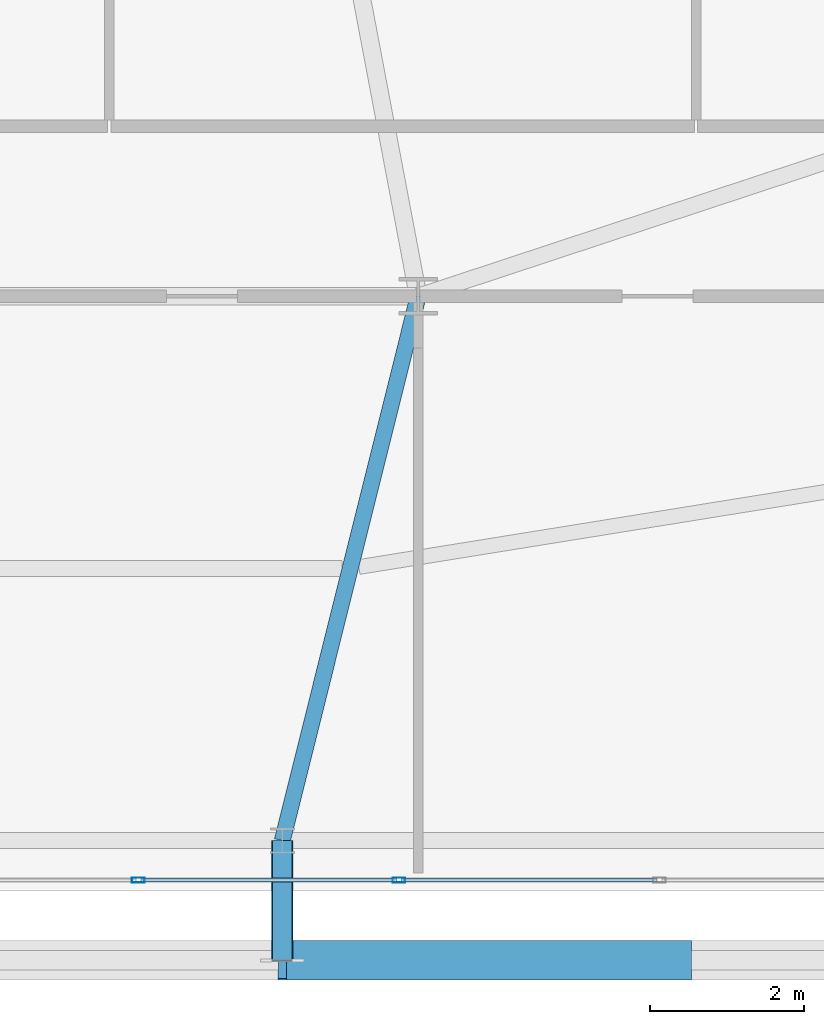
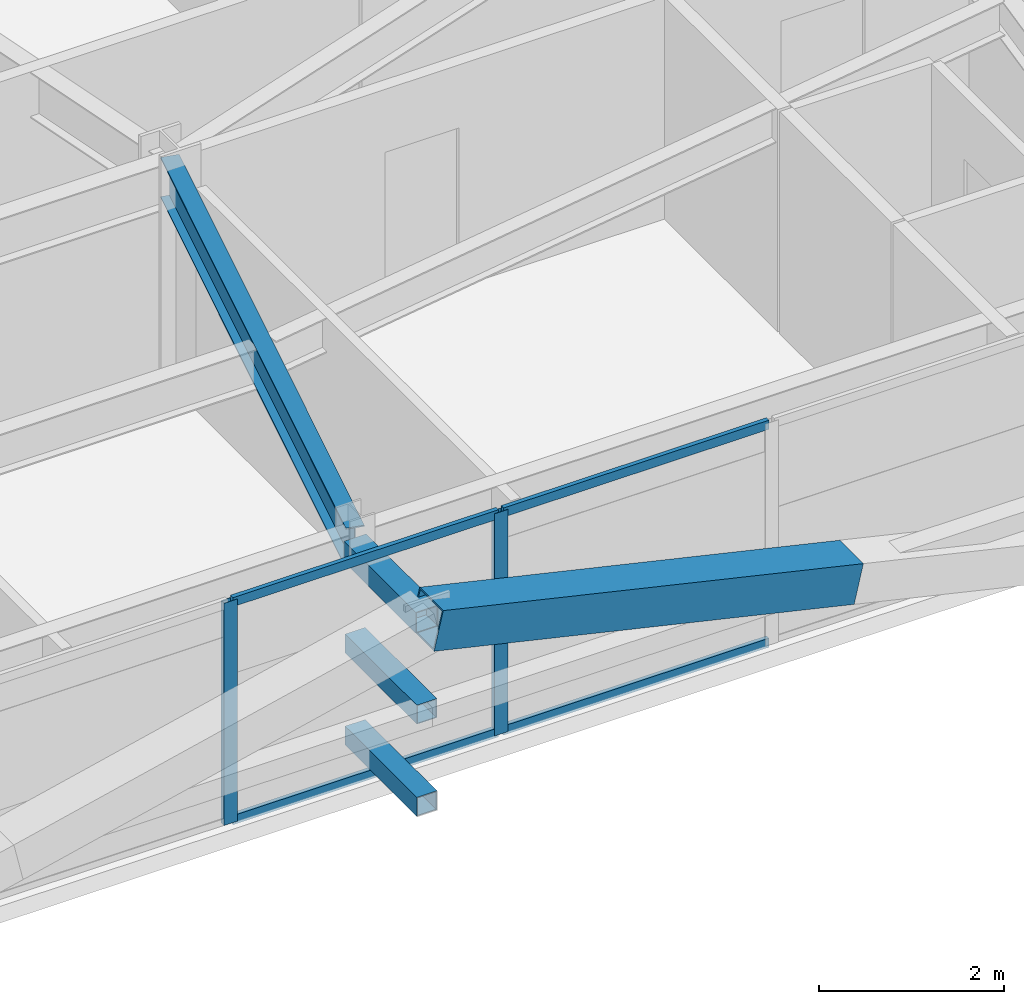
# One storey, part 20 of 58: 10 members, 1 beam, 1 element without a shape of its own.
"""IFC4 building model written with IfcOpenShell, lengths in metres."""

from ifc_helpers import new_model, si_unit, direction, frame, origin, origin_2d, place, context, subcontext, project, spatial, hollow_rectangle, i_section, extrude, source, transform, mapped, material, layer, layer_set, material_profile, profile_set, type_object, element, aggregate, save


model = new_model("IFC4")

# Units and contexts
model_context = context("Model", 3, precision=1e-05, world=origin(), true_north=direction((0.0, 1.0)))
body_context = subcontext(model_context, "Body", "Model", "MODEL_VIEW")
ifc_project = project(units=[si_unit("LENGTHUNIT", "METRE"), si_unit("AREAUNIT", "SQUARE_METRE"), si_unit("VOLUMEUNIT", "CUBIC_METRE"), si_unit("PLANEANGLEUNIT", "RADIAN"), si_unit("MASSUNIT", "GRAM", prefix="KILO")], contexts=[model_context])

# Site, building, storey
site_placement = place(None, origin())
site = spatial("IfcSite", under=ifc_project, at=site_placement, CompositionType="ELEMENT")
building_placement = place(site_placement, origin())
building = spatial("IfcBuilding", under=site, at=building_placement, Name="Taldren Reach Tower", CompositionType="ELEMENT")
storey_placement = place(building_placement, frame((0.0, 0.0, 54.60009765625)))
storey = spatial("IfcBuildingStorey", under=building, at=storey_placement, Name="L16", CompositionType="ELEMENT", Elevation=54.60009765625)

# Beam
ifc_material_1 = material(Name="Steel Gr 350 (350PLUS)", Category="steel")
ifc_material_profile_1 = material_profile(ifc_material_1, i_section(OverallWidth=0.208984375, OverallDepth=0.532958984375, WebThickness=0.01025390625, FlangeThickness=0.015625, at=origin_2d()), Name="530UB92.4")
ifc_profile_set_1 = profile_set([ifc_material_profile_1], Name="Steel Gr 350 (350PLUS)")
beam_type = type_object("IfcBeamType", Name="BM-UB530A", PredefinedType="BEAM", material=ifc_profile_set_1)
shared_shape_1 = source(origin(), body_context, "Body", "SweptSolid", [
    extrude(i_section(OverallWidth=0.208984375, OverallDepth=0.532958984375, WebThickness=0.01025390625, FlangeThickness=0.015625, at=origin_2d()), origin(), (0.0, 0.0, 1.0), 7.266357421875),
])
beam_placement = place(storey_placement, frame((42.0, 9.199951171875, 2.663330078125), z_axis=(-0.24221148493, -0.970223477642, 0.0), x_axis=(0.970223477642, -0.24221148493, 0.0)))
element("IfcBeam", 1, at=beam_placement, inside=storey, type_object=beam_type, Name="Primary floor girder B1-S4 L16", PredefinedType="BEAM", context=body_context, shape_type="MappedRepresentation", body=[
    mapped(shared_shape_1, transform((0.0, 0.0, 0.0), scale=1.0)),
])

# Members
ifc_material_2 = material(Name="Steel Gr 450 (C450L0)", Category="steel")
ifc_material_profile_2 = material_profile(ifc_material_2, hollow_rectangle(XDim=0.27490234375, YDim=0.27490234375, WallThickness=0.00927734375, at=origin_2d()), Name="275x275x9.3SHS")
ifc_profile_set_2 = profile_set([ifc_material_profile_2], Name="Steel Gr 450 (C450L0)")
member_type_1 = type_object("IfcMemberType", Name="MB-TIE273", PredefinedType="STRUT", material=ifc_profile_set_2)
shared_shape_2 = source(origin(), body_context, "Body", "SweptSolid", [
    extrude(hollow_rectangle(XDim=0.27490234375, YDim=0.27490234375, WallThickness=0.00927734375, at=origin_2d()), origin(), (0.0, 0.0, 1.0), 1.5498046875),
])
member_1_placement = place(storey_placement, frame((40.239990234375, 2.14990234375, 2.64990234375), z_axis=(0.0, -1.0, 0.0), x_axis=(1.0, 0.0, 0.0)))
element("IfcMember", 2, at=member_1_placement, inside=storey, type_object=member_type_1, Name="Exoskeleton diaphragm tie strut B1-S4 L16", PredefinedType="STRUT", context=body_context, shape_type="MappedRepresentation", body=[
    mapped(shared_shape_2, transform((0.0, 0.0, 0.0), scale=1.0)),
])
ifc_material_profile_3 = material_profile(ifc_material_2, hollow_rectangle(XDim=0.510009765625, YDim=0.510009765625, WallThickness=0.02001953125, at=origin_2d()), Name="510x510x20.0SHS")
ifc_profile_set_3 = profile_set([ifc_material_profile_3], Name="Steel Gr 450 (C450L0)")
member_type_2 = type_object("IfcMemberType", Name="MB-EXO508", PredefinedType="BRACE", material=ifc_profile_set_3)
shared_shape_3 = source(origin(), body_context, "Body", "SweptSolid", [
    extrude(hollow_rectangle(XDim=0.510009765625, YDim=0.510009765625, WallThickness=0.02001953125, at=origin_2d()), origin(), (0.0, 0.0, 1.0), 5.37890625),
])
member_2_placement = place(storey_placement, frame((45.47998046875, 0.60009765625, 1.434814453125), z_axis=(-0.97415197996, 0.0, 0.225893603143), x_axis=(0.0, -1.0, 0.0)))
element("IfcMember", 3, at=member_2_placement, inside=storey, type_object=member_type_2, Name="Exoskeleton Diagrid Brace B1-S4 L16", PredefinedType="BRACE", context=body_context, shape_type="MappedRepresentation", body=[
    mapped(shared_shape_3, transform((0.0, 0.0, 0.0), scale=1.0)),
])
ifc_material_3 = material(Name="Steel Gr 350 (C350L0)", Category="steel")
ifc_material_profile_4 = material_profile(ifc_material_3, hollow_rectangle(XDim=0.25, YDim=0.25, WallThickness=0.010009765625, at=origin_2d()), Name="250x250x10.0SHS")
ifc_profile_set_4 = profile_set([ifc_material_profile_4], Name="Steel Gr 350 (C350L0)")
member_type_3 = type_object("IfcMemberType", Name="MB-POST250", PredefinedType="POST", material=ifc_profile_set_4)
shared_shape_4 = source(origin(), body_context, "Body", "SweptSolid", [
    extrude(hollow_rectangle(XDim=0.25, YDim=0.25, WallThickness=0.010009765625, at=origin_2d()), origin(), (0.0, 0.0, 1.0), 1.5498046875),
])
for number, where, z_axis, x_axis, name in (
    (4, (40.239990234375, 2.14990234375, 0.219970703125), (0.0, -1.0, 0.0), (1.0, 0.0, 0.0), "Exoskeleton base diaphragm tie strut B1-S4 L16"),
    (5, (40.239990234375, 2.14990234375, 1.434814453125), (0.0, -1.0, 0.0), (1.0, 0.0, 0.0), "Exoskeleton mid-tier diaphragm tie B1-S4 L16"),
):
    element("IfcMember", number, at=place(storey_placement, frame(where, z_axis=z_axis, x_axis=x_axis)), inside=storey, type_object=member_type_3, Name=name, PredefinedType="POST", context=body_context, shape_type="MappedRepresentation", body=[
        mapped(shared_shape_4, transform((0.0, 0.0, 0.0), scale=1.0)),
    ])

# Curtain wall, members
ifc_material_4 = material(Name="Aluminium and Low-E Glass Unitised System", Category="aluminium")
ifc_layer = layer(ifc_material_4, 0.159912109375)
ifc_layer_set = layer_set([ifc_layer], Name="Aluminium and Low-E Glass Unitised System")
curtain_wall_type = type_object("IfcCurtainWallType", Name="CW-SYS-2", PredefinedType="NOTDEFINED", material=ifc_layer_set)
curtain_wall_placement = place(storey_placement, origin())
curtain_wall = element("IfcCurtainWall", 6, at=curtain_wall_placement, inside=storey, type_object=curtain_wall_type, Name="Unitised curtain wall CW-L16-S", PredefinedType="NOTDEFINED")
ifc_material_5 = material(Name="Anodised Aluminium 6063-T6", Category="aluminium")
ifc_material_profile_5 = material_profile(ifc_material_5, hollow_rectangle(XDim=0.06494140625, YDim=0.1650390625, WallThickness=0.00390625, at=origin_2d()), Name="ALU-165x65x4RHS")
ifc_profile_set_5 = profile_set([ifc_material_profile_5], Name="Anodised Aluminium 6063-T6")
member_type_4 = type_object("IfcMemberType", Name="CW-MUL-165", PredefinedType="MULLION", material=ifc_profile_set_5)
shared_shape_5 = source(origin(), body_context, "Body", "SweptSolid", [
    extrude(hollow_rectangle(XDim=0.06494140625, YDim=0.1650390625, WallThickness=0.00390625, at=origin_2d()), origin(), (0.0, 0.0, 1.0), 2.929931640625),
])
member_3_placement = place(storey_placement, frame((38.375, 1.639892578125, 0.0), z_axis=(0.0, 0.0, 1.0), x_axis=(0.0, 1.0, 0.0)))
member_3 = element("IfcMember", 7, at=member_3_placement, type_object=member_type_4, Name="CW-2 mullion 10", PredefinedType="MULLION", context=body_context, shape_type="MappedRepresentation", body=[
    mapped(shared_shape_5, transform((0.0, 0.0, 0.0), scale=1.0)),
])
member_4_placement = place(storey_placement, frame((41.75, 1.639892578125, 0.0), z_axis=(0.0, 0.0, 1.0), x_axis=(0.0, 1.0, 0.0)))
member_4 = element("IfcMember", 8, at=member_4_placement, type_object=member_type_4, Name="CW-2 mullion 11", PredefinedType="MULLION", context=body_context, shape_type="MappedRepresentation", body=[
    mapped(shared_shape_5, transform((0.0, 0.0, 0.0), scale=1.0)),
])
ifc_material_profile_6 = material_profile(ifc_material_5, hollow_rectangle(XDim=0.054931640625, YDim=0.1201171875, WallThickness=0.0029296875, at=origin_2d()), Name="ALU-120x55x3RHS")
ifc_profile_set_6 = profile_set([ifc_material_profile_6], Name="Anodised Aluminium 6063-T6")
member_type_5 = type_object("IfcMemberType", Name="CW-TRN-135", PredefinedType="USERDEFINED", material=ifc_profile_set_6)
shared_shape_6 = source(origin(), body_context, "Body", "SweptSolid", [
    extrude(hollow_rectangle(XDim=0.054931640625, YDim=0.1201171875, WallThickness=0.0029296875, at=origin_2d()), origin(), (0.0, 0.0, 1.0), 3.31005859375),
])
member_5_placement = place(storey_placement, frame((38.407470703125, 1.639892578125, 0.02734375), z_axis=(1.0, 0.0, 0.0), x_axis=(0.0, 1.0, 0.0)))
member_5 = element("IfcMember", 9, at=member_5_placement, type_object=member_type_5, Name="CW-2 transom 10.1", ObjectType="TRANSOM", PredefinedType="USERDEFINED", context=body_context, shape_type="MappedRepresentation", body=[
    mapped(shared_shape_6, transform((0.0, 0.0, 0.0), scale=1.0)),
])
member_6_placement = place(storey_placement, frame((38.407470703125, 1.639892578125, 2.90234375), z_axis=(1.0, 0.0, 0.0), x_axis=(0.0, 1.0, 0.0)))
member_6 = element("IfcMember", 10, at=member_6_placement, type_object=member_type_5, Name="CW-2 transom 10.2", ObjectType="TRANSOM", PredefinedType="USERDEFINED", context=body_context, shape_type="MappedRepresentation", body=[
    mapped(shared_shape_6, transform((0.0, 0.0, 0.0), scale=1.0)),
])
member_7_placement = place(storey_placement, frame((41.782470703125, 1.639892578125, 0.02734375), z_axis=(1.0, 0.0, 0.0), x_axis=(0.0, 1.0, 0.0)))
member_7 = element("IfcMember", 11, at=member_7_placement, type_object=member_type_5, Name="CW-2 transom 11.1", ObjectType="TRANSOM", PredefinedType="USERDEFINED", context=body_context, shape_type="MappedRepresentation", body=[
    mapped(shared_shape_6, transform((0.0, 0.0, 0.0), scale=1.0)),
])
member_8_placement = place(storey_placement, frame((41.782470703125, 1.639892578125, 2.90234375), z_axis=(1.0, 0.0, 0.0), x_axis=(0.0, 1.0, 0.0)))
member_8 = element("IfcMember", 12, at=member_8_placement, type_object=member_type_5, Name="CW-2 transom 11.2", ObjectType="TRANSOM", PredefinedType="USERDEFINED", context=body_context, shape_type="MappedRepresentation", body=[
    mapped(shared_shape_6, transform((0.0, 0.0, 0.0), scale=1.0)),
])
aggregate(curtain_wall, [member_3, member_4, member_5, member_6, member_7, member_8])

save(model, "model.ifc")
